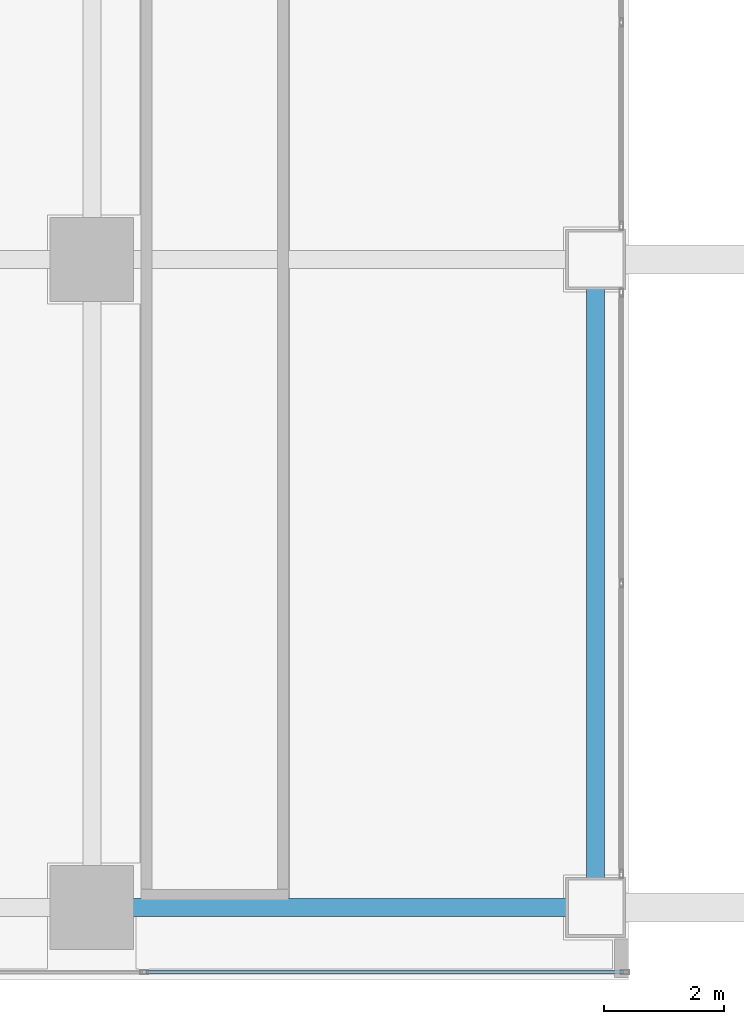
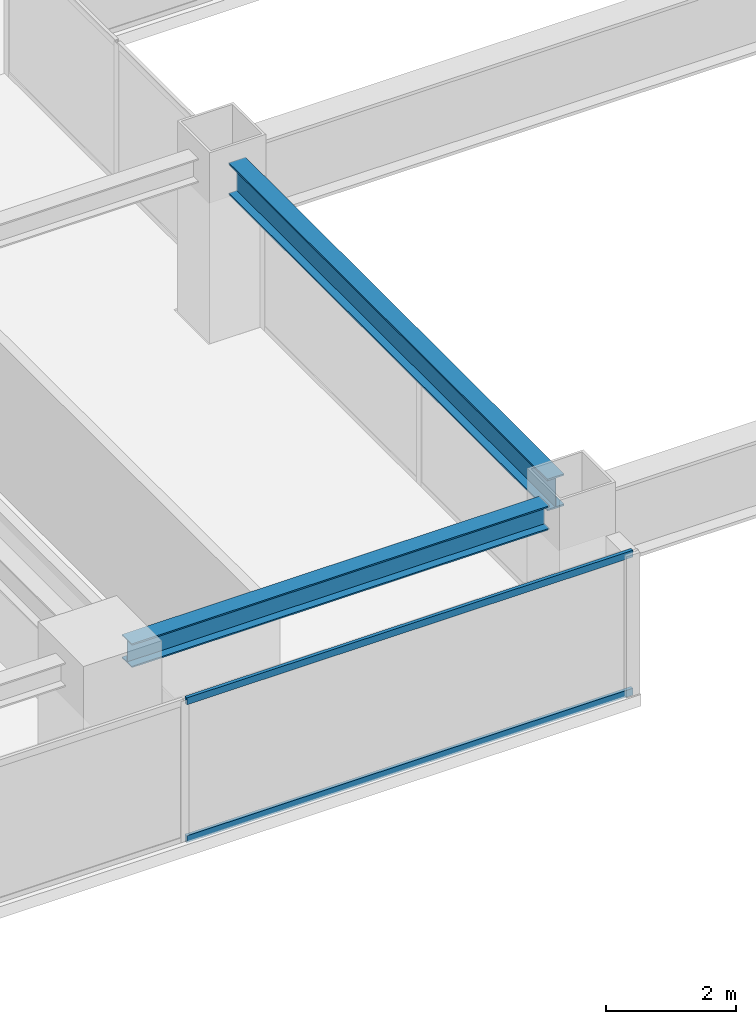
# One storey, part 3 of 32: 2 beams, 2 members, 1 element without a shape of its own.
"""IFC4 building model written with IfcOpenShell, lengths in metres."""

from ifc_helpers import new_model, si_unit, direction, frame, origin, origin_2d, place, context, subcontext, project, spatial, hollow_rectangle, i_section, extrude, source, transform, mapped, material, layer, layer_set, material_profile, profile_set, type_object, element, aggregate, save


model = new_model("IFC4")

# Units and contexts
model_context = context("Model", 3, precision=1e-05, world=origin(), true_north=direction((0.0, 1.0)))
body_context = subcontext(model_context, "Body", "Model", "MODEL_VIEW")
ifc_project = project(units=[si_unit("LENGTHUNIT", "METRE"), si_unit("AREAUNIT", "SQUARE_METRE"), si_unit("VOLUMEUNIT", "CUBIC_METRE"), si_unit("PLANEANGLEUNIT", "RADIAN"), si_unit("MASSUNIT", "GRAM", prefix="KILO")], contexts=[model_context])

# Site, building, storey
site_placement = place(None, origin())
site = spatial("IfcSite", under=ifc_project, at=site_placement, CompositionType="ELEMENT")
building_placement = place(site_placement, origin())
building = spatial("IfcBuilding", under=site, at=building_placement, Name="Sumidabori Civic Tower", CompositionType="ELEMENT")
storey_placement = place(building_placement, frame((0.0, 0.0, 225.199951171875)))
storey = spatial("IfcBuildingStorey", under=building, at=storey_placement, Name="L58", CompositionType="ELEMENT", Elevation=225.199951171875)

# Beams
ifc_material_1 = material(Name="Steel SN490", Category="steel")
ifc_material_profile_1 = material_profile(ifc_material_1, i_section(OverallWidth=0.300048828125, OverallDepth=0.60009765625, WebThickness=0.015380859375, FlangeThickness=0.030029296875, at=origin_2d()), Name="HE 600 B")
ifc_profile_set_1 = profile_set([ifc_material_profile_1], Name="Steel SN490")
beam_type_1 = type_object("IfcBeamType", Name="BM-GIRD-600", PredefinedType="BEAM", material=ifc_profile_set_1)
shared_shape_1 = source(origin(), body_context, "Body", "SweptSolid", [
    extrude(i_section(OverallWidth=0.300048828125, OverallDepth=0.60009765625, WebThickness=0.015380859375, FlangeThickness=0.030029296875, at=origin_2d()), origin(), (0.0, 0.0, 1.0), 9.840087890625),
])
beam_1_placement = place(storey_placement, frame((-8.39990234375, -10.320068359375, 2.97998046875), z_axis=(0.0, 1.0, 0.0), x_axis=(-1.0, 0.0, 0.0)))
element("IfcBeam", 1, at=beam_1_placement, inside=storey, type_object=beam_type_1, Name="Primary Girder L58 GY-17", PredefinedType="BEAM", context=body_context, shape_type="MappedRepresentation", body=[
    mapped(shared_shape_1, transform((0.0, 0.0, 0.0), x_axis=(1.0, 0.0, 0.0), y_axis=(0.0, 1.0, 0.0), z_axis=(0.0, 0.0, 1.0), scale=1.0)),
])
ifc_material_profile_2 = material_profile(ifc_material_1, i_section(OverallWidth=0.300048828125, OverallDepth=0.449951171875, WebThickness=0.013916015625, FlangeThickness=0.02587890625, at=origin_2d()), Name="HE 450 B")
ifc_profile_set_2 = profile_set([ifc_material_profile_2], Name="Steel SN490")
beam_type_2 = type_object("IfcBeamType", Name="BM-GIRD-450", PredefinedType="BEAM", material=ifc_profile_set_2)
shared_shape_2 = source(origin(), body_context, "Body", "SweptSolid", [
    extrude(i_section(OverallWidth=0.300048828125, OverallDepth=0.449951171875, WebThickness=0.013916015625, FlangeThickness=0.02587890625, at=origin_2d()), origin(), (0.0, 0.0, 1.0), 7.440185546875),
])
beam_2_placement = place(storey_placement, frame((-16.320068359375, -10.800048828125, 3.054931640625), z_axis=(1.0, 0.0, 0.0), x_axis=(0.0, 1.0, 0.0)))
element("IfcBeam", 2, at=beam_2_placement, inside=storey, type_object=beam_type_2, Name="Primary Girder L58 GX-02", PredefinedType="BEAM", context=body_context, shape_type="MappedRepresentation", body=[
    mapped(shared_shape_2, transform((0.0, 0.0, 0.0), x_axis=(1.0, 0.0, 0.0), y_axis=(0.0, 1.0, 0.0), z_axis=(0.0, 0.0, 1.0), scale=1.0)),
])

# Curtain wall, members
ifc_material_2 = material(Name="Anodised Bronze Aluminium AW-6063-T6", Category="aluminium")
ifc_layer = layer(ifc_material_2, 0.179931640625, Name="Anodised Bronze Aluminium AW-6063-T6")
ifc_layer_set = layer_set([ifc_layer], Name="Anodised Bronze Aluminium AW-6063-T6")
curtain_wall_type = type_object("IfcCurtainWallType", Name="CW-SYS-5", PredefinedType="NOTDEFINED", material=ifc_layer_set)
curtain_wall_placement = place(storey_placement, origin())
curtain_wall = element("IfcCurtainWall", 3, at=curtain_wall_placement, inside=storey, type_object=curtain_wall_type, Name="Curtain Wall CW:L58:R01", PredefinedType="NOTDEFINED")
ifc_material_profile_3 = material_profile(ifc_material_2, hollow_rectangle(XDim=0.06005859375, YDim=0.1298828125, WallThickness=0.0048828125, at=origin_2d()), Name="ALU TRANSOM 130x60")
ifc_profile_set_3 = profile_set([ifc_material_profile_3], Name="Anodised Bronze Aluminium AW-6063-T6")
member_type = type_object("IfcMemberType", Name="CW-TRN-130", PredefinedType="USERDEFINED", material=ifc_profile_set_3)
shared_shape_3 = source(origin(), body_context, "Body", "SweptSolid", [
    extrude(hollow_rectangle(XDim=0.06005859375, YDim=0.1298828125, WallThickness=0.0048828125, at=origin_2d()), origin(), (0.0, 0.0, 1.0), 7.955078125),
])
member_1_placement = place(storey_placement, frame((-15.89501953125, -11.8798828125, 0.030029296875), z_axis=(1.0, 0.0, 0.0), x_axis=(0.0, 1.0, 0.0)))
member_1 = element("IfcMember", 4, at=member_1_placement, type_object=member_type, Name="CW-5 transom 2.1", ObjectType="TRANSOM", PredefinedType="USERDEFINED", context=body_context, shape_type="MappedRepresentation", body=[
    mapped(shared_shape_3, transform((0.0, 0.0, 0.0), x_axis=(1.0, 0.0, 0.0), y_axis=(0.0, 1.0, 0.0), z_axis=(0.0, 0.0, 1.0), scale=1.0)),
])
member_2_placement = place(storey_placement, frame((-15.89501953125, -11.8798828125, 2.630126953125), z_axis=(1.0, 0.0, 0.0), x_axis=(0.0, 1.0, 0.0)))
member_2 = element("IfcMember", 5, at=member_2_placement, type_object=member_type, Name="CW-5 transom 2.2", ObjectType="TRANSOM", PredefinedType="USERDEFINED", context=body_context, shape_type="MappedRepresentation", body=[
    mapped(shared_shape_3, transform((0.0, 0.0, 0.0), x_axis=(1.0, 0.0, 0.0), y_axis=(0.0, 1.0, 0.0), z_axis=(0.0, 0.0, 1.0), scale=1.0)),
])
aggregate(curtain_wall, [member_1, member_2])

save(model, "model.ifc")
